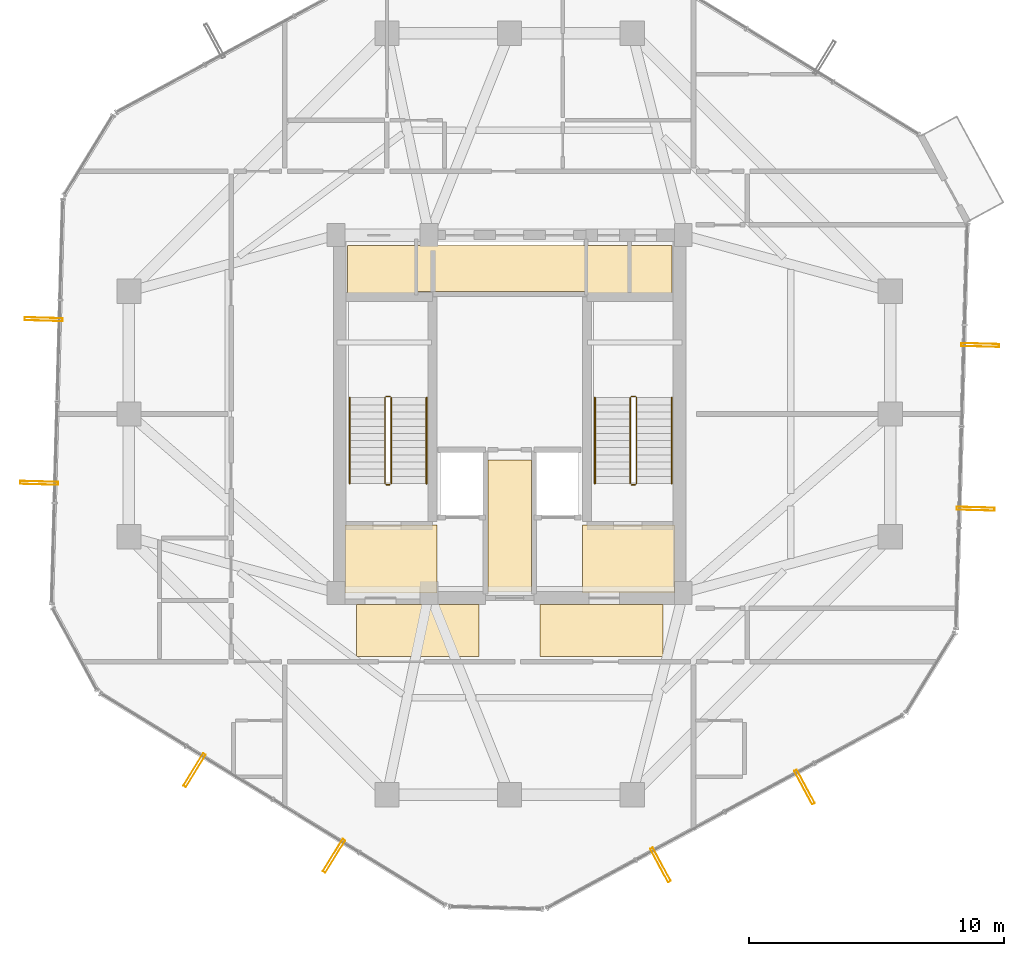
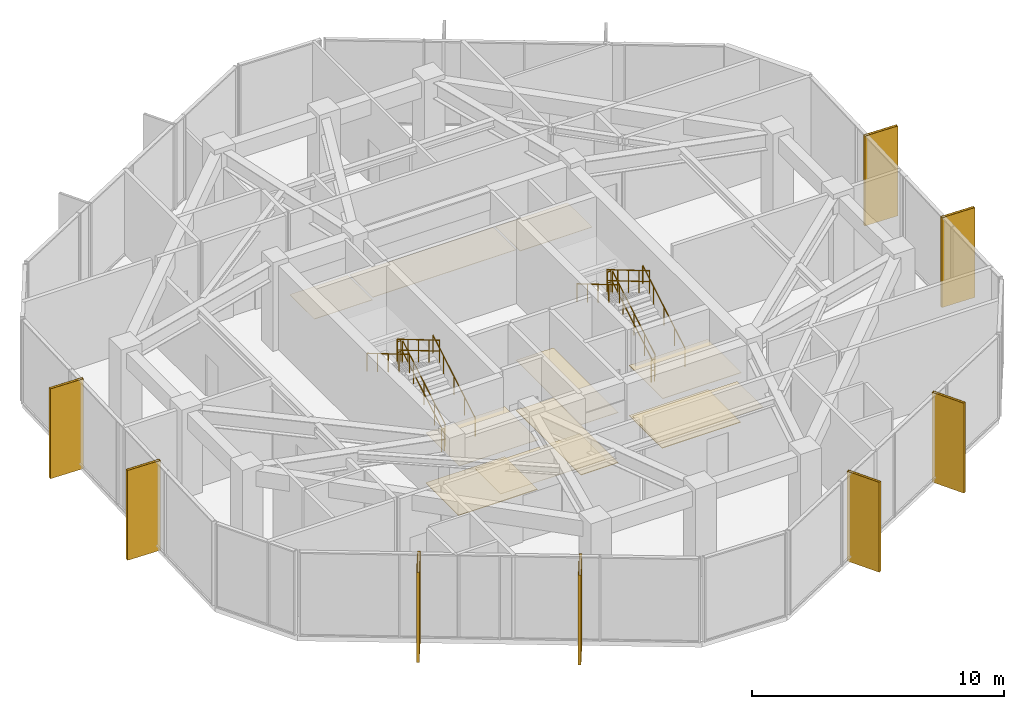
# One storey, part 21 of 22: 12 railings, 11 coverings, 8 shading devices.
"""IFC4 building model written with IfcOpenShell, lengths in metres."""

from ifc_helpers import new_model, si_unit, direction, frame, origin, origin_2d, place, context, subcontext, project, spatial, polyline, hollow_rectangle, circle, outline, extrude, material, layer, layer_set, material_profile, profile_set, type_object, element, save


model = new_model("IFC4")

# Units and contexts
model_context = context("Model", 3, precision=1e-05, world=origin(), true_north=direction((0.0, 1.0)))
body_context = subcontext(model_context, "Body", "Model", "MODEL_VIEW")
ifc_project = project(units=[si_unit("LENGTHUNIT", "METRE"), si_unit("AREAUNIT", "SQUARE_METRE"), si_unit("VOLUMEUNIT", "CUBIC_METRE"), si_unit("PLANEANGLEUNIT", "RADIAN"), si_unit("MASSUNIT", "GRAM", prefix="KILO")], contexts=[model_context])

# Site, building, storey
site_placement = place(None, origin())
site = spatial("IfcSite", under=ifc_project, at=site_placement, CompositionType="ELEMENT")
building_placement = place(site_placement, origin())
building = spatial("IfcBuilding", under=site, at=building_placement, Name="Veraguas Prism Commons", CompositionType="ELEMENT")
storey_placement = place(building_placement, frame((0.0, 0.0, 211.35009765625)))
storey = spatial("IfcBuildingStorey", under=building, at=storey_placement, Name="L60", CompositionType="ELEMENT", Elevation=211.35009765625)

# Shading devices
ifc_material_1 = material(Name="Anodised aluminium EN AW-6063 T6", Category="aluminium")
ifc_material_profile = material_profile(ifc_material_1, hollow_rectangle(XDim=0.1201171875, YDim=1.489990234375, WallThickness=0.006103515625, at=origin_2d()), Name="FIN120X1490X6")
ifc_profile_set = profile_set([ifc_material_profile], Name="Anodised aluminium EN AW-6063 T6")
shading_device_type = type_object("IfcShadingDeviceType", Name="Deep Pale-Metal Vertical Solar Fin 120x1490", PredefinedType="USERDEFINED", material=ifc_profile_set)
for number, where, z_axis, x_axis, name in (
    (1, (5.760009765625, 27.708740234375, -0.260009765625), (0.0, 0.0, 1.0), (-0.02757445194, -0.999619752506, 0.0), "Vertical Pale-Metal Solar Fin L60-F3A"),
    (2, (5.58349609375, 21.30224609375, -0.260009765625), (0.0, 0.0, 1.0), (-0.02757445194, -0.999619752506, 0.0), "Vertical Pale-Metal Solar Fin L60-F3B"),
    (3, (11.668212890625, 10.05810546875, -0.260009765625), (0.0, 0.0, 1.0), (0.851909787835, -0.523688565266, 0.0), "Vertical Pale-Metal Solar Fin L60-F4A"),
    (4, (17.1279296875, 6.701904296875, -0.260009765625), (0.0, 0.0, 1.0), (0.851909787835, -0.523688565266, 0.0), "Vertical Pale-Metal Solar Fin L60-F4B"),
    (5, (29.907958984375, 6.349365234375, -0.260009765625), (0.0, 0.0, 1.0), (0.87948249511, 0.475931235364, 0.0), "Vertical Pale-Metal Solar Fin L60-F5A"),
    (6, (35.544677734375, 9.399658203125, -0.260009765625), (0.0, 0.0, 1.0), (0.87948249511, 0.475931235364, 0.0), "Vertical Pale-Metal Solar Fin L60-F5B"),
    (7, (42.239990234375, 20.291259765625, -0.260009765625), (0.0, 0.0, 1.0), (0.02757445194, 0.999619752506, 0.0), "Vertical Pale-Metal Solar Fin L60-F6A"),
    (8, (42.41650390625, 26.69775390625, -0.260009765625), (0.0, 0.0, 1.0), (0.02757445194, 0.999619752506, 0.0), "Vertical Pale-Metal Solar Fin L60-F6B"),
):
    element("IfcShadingDevice", number, at=place(storey_placement, frame(where, z_axis=z_axis, x_axis=x_axis)), inside=storey, type_object=shading_device_type, Name=name, ObjectType="FIN", PredefinedType="USERDEFINED", context=body_context, shape_type="SweptSolid", body=[
        extrude(hollow_rectangle(XDim=0.1201171875, YDim=1.489990234375, WallThickness=0.006103515625, at=origin_2d()), origin(), (0.0, 0.0, 1.0), 4.344970703125),
    ])

# Coverings
ifc_material_2 = material(Name="Acoustic gypsum board")
ifc_layer_1 = layer(ifc_material_2, 0.02490234375, Name="Perforated Acoustic Ceiling Tile 25")
ifc_layer_set_1 = layer_set([ifc_layer_1], Name="Acoustic gypsum board")
covering_type_1 = type_object("IfcCoveringType", Name="Perforated Acoustic Ceiling Tile 25", PredefinedType="USERDEFINED", material=ifc_layer_set_1)
covering_1_placement = place(storey_placement, frame((0.0, 0.0, 2.4248046875)))
element("IfcCovering", 9, at=covering_1_placement, inside=storey, type_object=covering_type_1, Name="East Lobby Acoustic Ceiling L60", ObjectType="ACOUSTIC CEILING", PredefinedType="USERDEFINED", context=body_context, shape_type="SweptSolid", body=[
    extrude(outline(polyline([(26.85009765625, 17.0), (30.449951171875, 17.0), (30.449951171875, 19.64990234375), (26.85009765625, 19.64990234375), (26.85009765625, 17.0)])), origin(), (0.0, 0.0, 1.0), 0.025146484375),
])
ifc_material_3 = material(Name="Terrazzo stone finish", Category="masonry")
ifc_layer_2 = layer(ifc_material_3, 0.030029296875, Name="Polished Terrazzo Floor Finish 30", Category="masonry")
ifc_layer_set_2 = layer_set([ifc_layer_2], Name="Terrazzo stone finish")
covering_type_2 = type_object("IfcCoveringType", Name="Polished Terrazzo Floor Finish 30", PredefinedType="FLOORING", material=ifc_layer_set_2)
covering_2_placement = place(storey_placement, origin())
element("IfcCovering", 10, at=covering_2_placement, inside=storey, type_object=covering_type_2, Name="Terrazzo Lobby Flooring L60", PredefinedType="FLOORING", context=body_context, shape_type="SweptSolid", body=[
    extrude(outline(polyline([(23.14990234375, 17.050048828125), (24.85009765625, 17.050048828125), (24.85009765625, 22.199951171875), (23.14990234375, 22.199951171875), (23.14990234375, 17.050048828125)])), origin(), (0.0, 0.0, 1.0), 0.02978515625),
])
covering_3_placement = place(storey_placement, origin())
element("IfcCovering", 11, at=covering_3_placement, inside=storey, type_object=covering_type_2, Name="West FF Lobby Terrazzo Flooring L60", PredefinedType="FLOORING", context=body_context, shape_type="SweptSolid", body=[
    extrude(outline(polyline([(17.550048828125, 17.050048828125), (21.14990234375, 17.050048828125), (21.14990234375, 19.64990234375), (17.550048828125, 19.64990234375), (17.550048828125, 17.050048828125)])), origin(), (0.0, 0.0, 1.0), 0.02978515625),
])
covering_4_placement = place(storey_placement, origin())
element("IfcCovering", 12, at=covering_4_placement, inside=storey, type_object=covering_type_2, Name="East FF Lobby Terrazzo Flooring L60", PredefinedType="FLOORING", context=body_context, shape_type="SweptSolid", body=[
    extrude(outline(polyline([(26.85009765625, 17.050048828125), (30.449951171875, 17.050048828125), (30.449951171875, 19.64990234375), (26.85009765625, 19.64990234375), (26.85009765625, 17.050048828125)])), origin(), (0.0, 0.0, 1.0), 0.02978515625),
])

# Railings
ifc_material_4 = material(Name="Stainless steel AISI 316", Category="steel")
railing_type_1 = type_object("IfcRailingType", Name="Stair and Ramp Stainless Handrail 900", PredefinedType="HANDRAIL", material=ifc_material_4)
railing_1_placement = place(storey_placement, frame((20.75, 21.280029296875, 0.165283203125)))
element("IfcRailing", 13, at=railing_1_placement, inside=storey, type_object=railing_type_1, Name="Stair Handrail ST-01 L60-1", PredefinedType="HANDRAIL", context=body_context, shape_type="SweptSolid", body=[
    extrude(circle(Radius=0.02392578125, at=origin_2d()), frame((0.0, 0.0, 0.8759765625), z_axis=(0.0, 0.861011212953, 0.508585972249), x_axis=(-1.0, 0.0, 0.0)), (0.0, 0.0, 1.0), 3.90234375),
    extrude(circle(Radius=0.02099609375, at=origin_2d()), origin(), (0.0, 0.0, 1.0), 0.851806640625),
    extrude(circle(Radius=0.02099609375, at=origin_2d()), frame((0.0, 0.83984375, 0.49609375)), (0.0, 0.0, 1.0), 0.851806640625),
    extrude(circle(Radius=0.02099609375, at=origin_2d()), frame((0.0, 1.679931640625, 0.9921875)), (0.0, 0.0, 1.0), 0.851806640625),
    extrude(circle(Radius=0.02099609375, at=origin_2d()), frame((0.0, 2.52001953125, 1.488525390625)), (0.0, 0.0, 1.0), 0.851806640625),
    extrude(circle(Radius=0.02099609375, at=origin_2d()), frame((0.0, 3.35986328125, 1.984619140625)), (0.0, 0.0, 1.0), 0.851806640625),
])
railing_2_placement = place(storey_placement, frame((17.739990234375, 24.639892578125, 2.315185546875)))
element("IfcRailing", 14, at=railing_2_placement, inside=storey, type_object=railing_type_1, Name="Stair Handrail ST-01 L60-2", PredefinedType="HANDRAIL", context=body_context, shape_type="SweptSolid", body=[
    extrude(circle(Radius=0.02392578125, at=origin_2d()), frame((0.0, 0.0, 0.8759765625), z_axis=(0.0, -0.861011212953, 0.508585972249), x_axis=(1.0, 0.0, 0.0)), (0.0, 0.0, 1.0), 3.90234375),
    extrude(circle(Radius=0.02099609375, at=origin_2d()), origin(), (0.0, 0.0, 1.0), 0.851806640625),
    extrude(circle(Radius=0.02099609375, at=origin_2d()), frame((0.0, -0.83984375, 0.49609375)), (0.0, 0.0, 1.0), 0.851806640625),
    extrude(circle(Radius=0.02099609375, at=origin_2d()), frame((0.0, -1.679931640625, 0.9921875)), (0.0, 0.0, 1.0), 0.851806640625),
    extrude(circle(Radius=0.02099609375, at=origin_2d()), frame((0.0, -2.52001953125, 1.488525390625)), (0.0, 0.0, 1.0), 0.851806640625),
    extrude(circle(Radius=0.02099609375, at=origin_2d()), frame((0.0, -3.35986328125, 1.984619140625)), (0.0, 0.0, 1.0), 0.851806640625),
])
railing_3_placement = place(storey_placement, frame((30.35009765625, 21.280029296875, 0.165283203125)))
element("IfcRailing", 15, at=railing_3_placement, inside=storey, type_object=railing_type_1, Name="Stair Handrail ST-02 L60-1", PredefinedType="HANDRAIL", context=body_context, shape_type="SweptSolid", body=[
    extrude(circle(Radius=0.02392578125, at=origin_2d()), frame((0.0, 0.0, 0.8759765625), z_axis=(0.0, 0.861011212953, 0.508585972249), x_axis=(-1.0, 0.0, 0.0)), (0.0, 0.0, 1.0), 3.90234375),
    extrude(circle(Radius=0.02099609375, at=origin_2d()), origin(), (0.0, 0.0, 1.0), 0.851806640625),
    extrude(circle(Radius=0.02099609375, at=origin_2d()), frame((0.0, 0.83984375, 0.49609375)), (0.0, 0.0, 1.0), 0.851806640625),
    extrude(circle(Radius=0.02099609375, at=origin_2d()), frame((0.0, 1.679931640625, 0.9921875)), (0.0, 0.0, 1.0), 0.851806640625),
    extrude(circle(Radius=0.02099609375, at=origin_2d()), frame((0.0, 2.52001953125, 1.488525390625)), (0.0, 0.0, 1.0), 0.851806640625),
    extrude(circle(Radius=0.02099609375, at=origin_2d()), frame((0.0, 3.35986328125, 1.984619140625)), (0.0, 0.0, 1.0), 0.851806640625),
])
railing_4_placement = place(storey_placement, frame((27.340087890625, 24.639892578125, 2.315185546875)))
element("IfcRailing", 16, at=railing_4_placement, inside=storey, type_object=railing_type_1, Name="Stair Handrail ST-02 L60-2", PredefinedType="HANDRAIL", context=body_context, shape_type="SweptSolid", body=[
    extrude(circle(Radius=0.02392578125, at=origin_2d()), frame((0.0, 0.0, 0.8759765625), z_axis=(0.0, -0.861011212953, 0.508585972249), x_axis=(1.0, 0.0, 0.0)), (0.0, 0.0, 1.0), 3.90234375),
    extrude(circle(Radius=0.02099609375, at=origin_2d()), origin(), (0.0, 0.0, 1.0), 0.851806640625),
    extrude(circle(Radius=0.02099609375, at=origin_2d()), frame((0.0, -0.83984375, 0.49609375)), (0.0, 0.0, 1.0), 0.851806640625),
    extrude(circle(Radius=0.02099609375, at=origin_2d()), frame((0.0, -1.679931640625, 0.9921875)), (0.0, 0.0, 1.0), 0.851806640625),
    extrude(circle(Radius=0.02099609375, at=origin_2d()), frame((0.0, -2.52001953125, 1.488525390625)), (0.0, 0.0, 1.0), 0.851806640625),
    extrude(circle(Radius=0.02099609375, at=origin_2d()), frame((0.0, -3.35986328125, 1.984619140625)), (0.0, 0.0, 1.0), 0.851806640625),
])
railing_type_2 = type_object("IfcRailingType", Name="Stairwell Safety Guardrail 1100", PredefinedType="GUARDRAIL", material=ifc_material_4)
railing_5_placement = place(storey_placement, frame((19.3701171875, 21.280029296875, 0.165283203125)))
element("IfcRailing", 17, at=railing_5_placement, inside=storey, type_object=railing_type_2, Name="Stair Guard ST-01 L60-1", PredefinedType="GUARDRAIL", context=body_context, shape_type="SweptSolid", body=[
    extrude(circle(Radius=0.02392578125, at=origin_2d()), frame((0.0, 0.0, 1.076171875), z_axis=(0.0, 0.861011212953, 0.508585972249), x_axis=(-1.0, 0.0, 0.0)), (0.0, 0.0, 1.0), 3.90234375),
    extrude(circle(Radius=0.02392578125, at=origin_2d()), frame((0.0, 0.0, 0.550048828125), z_axis=(0.0, 0.861011212953, 0.508585972249), x_axis=(-1.0, 0.0, 0.0)), (0.0, 0.0, 1.0), 3.90234375),
    extrude(circle(Radius=0.02099609375, at=origin_2d()), origin(), (0.0, 0.0, 1.0), 1.052001953125),
    extrude(circle(Radius=0.02099609375, at=origin_2d()), frame((0.0, 0.83984375, 0.49609375)), (0.0, 0.0, 1.0), 1.052001953125),
    extrude(circle(Radius=0.02099609375, at=origin_2d()), frame((0.0, 1.679931640625, 0.9921875)), (0.0, 0.0, 1.0), 1.052001953125),
    extrude(circle(Radius=0.02099609375, at=origin_2d()), frame((0.0, 2.52001953125, 1.488525390625)), (0.0, 0.0, 1.0), 1.052001953125),
    extrude(circle(Radius=0.02099609375, at=origin_2d()), frame((0.0, 3.35986328125, 1.984619140625)), (0.0, 0.0, 1.0), 1.052001953125),
])
railing_6_placement = place(storey_placement, frame((19.320068359375, 24.68994140625, 2.14990234375)))
element("IfcRailing", 18, at=railing_6_placement, inside=storey, type_object=railing_type_2, Name="Stair Guard ST-01 L60-2", PredefinedType="GUARDRAIL", context=body_context, shape_type="SweptSolid", body=[
    extrude(circle(Radius=0.02392578125, at=origin_2d()), frame((0.0, 0.0, 1.076171875), z_axis=(-1.0, 0.0, 0.0), x_axis=(0.0, -1.0, 0.0)), (0.0, 0.0, 1.0), 0.150146484375),
    extrude(circle(Radius=0.02392578125, at=origin_2d()), frame((0.0, 0.0, 0.550048828125), z_axis=(-1.0, 0.0, 0.0), x_axis=(0.0, -1.0, 0.0)), (0.0, 0.0, 1.0), 0.150146484375),
    extrude(circle(Radius=0.02099609375, at=origin_2d()), origin(), (0.0, 0.0, 1.0), 1.052001953125),
    extrude(circle(Radius=0.02099609375, at=origin_2d()), frame((-0.150146484375, 0.0, 0.0)), (0.0, 0.0, 1.0), 1.052001953125),
])
railing_7_placement = place(storey_placement, frame((19.1201171875, 24.639892578125, 2.315185546875)))
element("IfcRailing", 19, at=railing_7_placement, inside=storey, type_object=railing_type_2, Name="Stair Guard ST-01 L60-3", PredefinedType="GUARDRAIL", context=body_context, shape_type="SweptSolid", body=[
    extrude(circle(Radius=0.02392578125, at=origin_2d()), frame((0.0, 0.0, 1.076171875), z_axis=(0.0, -0.861011212953, 0.508585972249), x_axis=(1.0, 0.0, 0.0)), (0.0, 0.0, 1.0), 3.90234375),
    extrude(circle(Radius=0.02392578125, at=origin_2d()), frame((0.0, 0.0, 0.550048828125), z_axis=(0.0, -0.861011212953, 0.508585972249), x_axis=(1.0, 0.0, 0.0)), (0.0, 0.0, 1.0), 3.90234375),
    extrude(circle(Radius=0.02099609375, at=origin_2d()), origin(), (0.0, 0.0, 1.0), 1.052001953125),
    extrude(circle(Radius=0.02099609375, at=origin_2d()), frame((0.0, -0.83984375, 0.49609375)), (0.0, 0.0, 1.0), 1.052001953125),
    extrude(circle(Radius=0.02099609375, at=origin_2d()), frame((0.0, -1.679931640625, 0.9921875)), (0.0, 0.0, 1.0), 1.052001953125),
    extrude(circle(Radius=0.02099609375, at=origin_2d()), frame((0.0, -2.52001953125, 1.488525390625)), (0.0, 0.0, 1.0), 1.052001953125),
    extrude(circle(Radius=0.02099609375, at=origin_2d()), frame((0.0, -3.35986328125, 1.984619140625)), (0.0, 0.0, 1.0), 1.052001953125),
])
railing_8_placement = place(storey_placement, frame((19.320068359375, 21.22998046875, 0.0)))
element("IfcRailing", 20, at=railing_8_placement, inside=storey, type_object=railing_type_2, Name="Stair Guard ST-01 L60-4", PredefinedType="GUARDRAIL", context=body_context, shape_type="SweptSolid", body=[
    extrude(circle(Radius=0.02392578125, at=origin_2d()), frame((0.0, 0.0, 1.076171875), z_axis=(-1.0, 0.0, 0.0), x_axis=(0.0, -1.0, 0.0)), (0.0, 0.0, 1.0), 0.150146484375),
    extrude(circle(Radius=0.02392578125, at=origin_2d()), frame((0.0, 0.0, 0.550048828125), z_axis=(-1.0, 0.0, 0.0), x_axis=(0.0, -1.0, 0.0)), (0.0, 0.0, 1.0), 0.150146484375),
    extrude(circle(Radius=0.02099609375, at=origin_2d()), origin(), (0.0, 0.0, 1.0), 1.052001953125),
    extrude(circle(Radius=0.02099609375, at=origin_2d()), frame((-0.150146484375, 0.0, 0.0)), (0.0, 0.0, 1.0), 1.052001953125),
])
railing_9_placement = place(storey_placement, frame((28.969970703125, 21.280029296875, 0.165283203125)))
element("IfcRailing", 21, at=railing_9_placement, inside=storey, type_object=railing_type_2, Name="Stair Guard ST-02 L60-1", PredefinedType="GUARDRAIL", context=body_context, shape_type="SweptSolid", body=[
    extrude(circle(Radius=0.02392578125, at=origin_2d()), frame((0.0, 0.0, 1.076171875), z_axis=(0.0, 0.861011212953, 0.508585972249), x_axis=(-1.0, 0.0, 0.0)), (0.0, 0.0, 1.0), 3.90234375),
    extrude(circle(Radius=0.02392578125, at=origin_2d()), frame((0.0, 0.0, 0.550048828125), z_axis=(0.0, 0.861011212953, 0.508585972249), x_axis=(-1.0, 0.0, 0.0)), (0.0, 0.0, 1.0), 3.90234375),
    extrude(circle(Radius=0.02099609375, at=origin_2d()), origin(), (0.0, 0.0, 1.0), 1.052001953125),
    extrude(circle(Radius=0.02099609375, at=origin_2d()), frame((0.0, 0.83984375, 0.49609375)), (0.0, 0.0, 1.0), 1.052001953125),
    extrude(circle(Radius=0.02099609375, at=origin_2d()), frame((0.0, 1.679931640625, 0.9921875)), (0.0, 0.0, 1.0), 1.052001953125),
    extrude(circle(Radius=0.02099609375, at=origin_2d()), frame((0.0, 2.52001953125, 1.488525390625)), (0.0, 0.0, 1.0), 1.052001953125),
    extrude(circle(Radius=0.02099609375, at=origin_2d()), frame((0.0, 3.35986328125, 1.984619140625)), (0.0, 0.0, 1.0), 1.052001953125),
])
railing_10_placement = place(storey_placement, frame((28.919921875, 24.68994140625, 2.14990234375)))
element("IfcRailing", 22, at=railing_10_placement, inside=storey, type_object=railing_type_2, Name="Stair Guard ST-02 L60-2", PredefinedType="GUARDRAIL", context=body_context, shape_type="SweptSolid", body=[
    extrude(circle(Radius=0.02392578125, at=origin_2d()), frame((0.0, 0.0, 1.076171875), z_axis=(-1.0, 0.0, 0.0), x_axis=(0.0, -1.0, 0.0)), (0.0, 0.0, 1.0), 0.14990234375),
    extrude(circle(Radius=0.02392578125, at=origin_2d()), frame((0.0, 0.0, 0.550048828125), z_axis=(-1.0, 0.0, 0.0), x_axis=(0.0, -1.0, 0.0)), (0.0, 0.0, 1.0), 0.14990234375),
    extrude(circle(Radius=0.02099609375, at=origin_2d()), origin(), (0.0, 0.0, 1.0), 1.052001953125),
    extrude(circle(Radius=0.02099609375, at=origin_2d()), frame((-0.14990234375, 0.0, 0.0)), (0.0, 0.0, 1.0), 1.052001953125),
])
railing_11_placement = place(storey_placement, frame((28.719970703125, 24.639892578125, 2.315185546875)))
element("IfcRailing", 23, at=railing_11_placement, inside=storey, type_object=railing_type_2, Name="Stair Guard ST-02 L60-3", PredefinedType="GUARDRAIL", context=body_context, shape_type="SweptSolid", body=[
    extrude(circle(Radius=0.02392578125, at=origin_2d()), frame((0.0, 0.0, 1.076171875), z_axis=(0.0, -0.861011212953, 0.508585972249), x_axis=(1.0, 0.0, 0.0)), (0.0, 0.0, 1.0), 3.90234375),
    extrude(circle(Radius=0.02392578125, at=origin_2d()), frame((0.0, 0.0, 0.550048828125), z_axis=(0.0, -0.861011212953, 0.508585972249), x_axis=(1.0, 0.0, 0.0)), (0.0, 0.0, 1.0), 3.90234375),
    extrude(circle(Radius=0.02099609375, at=origin_2d()), origin(), (0.0, 0.0, 1.0), 1.052001953125),
    extrude(circle(Radius=0.02099609375, at=origin_2d()), frame((0.0, -0.83984375, 0.49609375)), (0.0, 0.0, 1.0), 1.052001953125),
    extrude(circle(Radius=0.02099609375, at=origin_2d()), frame((0.0, -1.679931640625, 0.9921875)), (0.0, 0.0, 1.0), 1.052001953125),
    extrude(circle(Radius=0.02099609375, at=origin_2d()), frame((0.0, -2.52001953125, 1.488525390625)), (0.0, 0.0, 1.0), 1.052001953125),
    extrude(circle(Radius=0.02099609375, at=origin_2d()), frame((0.0, -3.35986328125, 1.984619140625)), (0.0, 0.0, 1.0), 1.052001953125),
])
railing_12_placement = place(storey_placement, frame((28.919921875, 21.22998046875, 0.0)))
element("IfcRailing", 24, at=railing_12_placement, inside=storey, type_object=railing_type_2, Name="Stair Guard ST-02 L60-4", PredefinedType="GUARDRAIL", context=body_context, shape_type="SweptSolid", body=[
    extrude(circle(Radius=0.02392578125, at=origin_2d()), frame((0.0, 0.0, 1.076171875), z_axis=(-1.0, 0.0, 0.0), x_axis=(0.0, -1.0, 0.0)), (0.0, 0.0, 1.0), 0.14990234375),
    extrude(circle(Radius=0.02392578125, at=origin_2d()), frame((0.0, 0.0, 0.550048828125), z_axis=(-1.0, 0.0, 0.0), x_axis=(0.0, -1.0, 0.0)), (0.0, 0.0, 1.0), 0.14990234375),
    extrude(circle(Radius=0.02099609375, at=origin_2d()), origin(), (0.0, 0.0, 1.0), 1.052001953125),
    extrude(circle(Radius=0.02099609375, at=origin_2d()), frame((-0.14990234375, 0.0, 0.0)), (0.0, 0.0, 1.0), 1.052001953125),
])

# Coverings
ifc_layer_3 = layer(ifc_material_2, 0.02001953125, Name="Suspended Gypsum Ceiling 20")
ifc_layer_set_3 = layer_set([ifc_layer_3], Name="Acoustic gypsum board")
covering_type_3 = type_object("IfcCoveringType", Name="Suspended Gypsum Ceiling 20", PredefinedType="CEILING", material=ifc_layer_set_3)
covering_5_placement = place(storey_placement, frame((0.0, 0.0, 2.429931640625)))
element("IfcCovering", 25, at=covering_5_placement, inside=storey, type_object=covering_type_3, Name="West Lobby Suspended Gypsum Ceiling L60", PredefinedType="CEILING", context=body_context, shape_type="SweptSolid", body=[
    extrude(outline(polyline([(17.550048828125, 17.0), (21.14990234375, 17.0), (21.14990234375, 19.64990234375), (17.550048828125, 19.64990234375), (17.550048828125, 17.0)])), origin(), (0.0, 0.0, 1.0), 0.02001953125),
])
covering_6_placement = place(storey_placement, frame((0.0, 0.0, 2.429931640625)))
element("IfcCovering", 26, at=covering_6_placement, inside=storey, type_object=covering_type_3, Name="Core Lobby Acoustic Ceiling L60-1", PredefinedType="CEILING", context=body_context, shape_type="SweptSolid", body=[
    extrude(outline(polyline([(18.0, 14.5), (22.800048828125, 14.5), (22.800048828125, 16.550048828125), (18.0, 16.550048828125), (18.0, 14.5)])), origin(), (0.0, 0.0, 1.0), 0.02001953125),
])
covering_7_placement = place(storey_placement, frame((0.0, 0.0, 2.429931640625)))
element("IfcCovering", 27, at=covering_7_placement, inside=storey, type_object=covering_type_3, Name="Core Lobby Acoustic Ceiling L60-2", PredefinedType="CEILING", context=body_context, shape_type="SweptSolid", body=[
    extrude(outline(polyline([(25.199951171875, 14.5), (30.0, 14.5), (30.0, 16.550048828125), (25.199951171875, 16.550048828125), (25.199951171875, 14.5)])), origin(), (0.0, 0.0, 1.0), 0.02001953125),
])
covering_8_placement = place(storey_placement, frame((0.0, 0.0, 2.429931640625)))
element("IfcCovering", 28, at=covering_8_placement, inside=storey, type_object=covering_type_3, Name="Core Lobby Acoustic Ceiling L60-3", PredefinedType="CEILING", context=body_context, shape_type="SweptSolid", body=[
    extrude(outline(polyline([(23.14990234375, 17.050048828125), (24.85009765625, 17.050048828125), (24.85009765625, 22.199951171875), (23.14990234375, 22.199951171875), (23.14990234375, 17.050048828125)])), origin(), (0.0, 0.0, 1.0), 0.02001953125),
])
covering_9_placement = place(storey_placement, frame((0.0, 0.0, 2.429931640625)))
element("IfcCovering", 29, at=covering_9_placement, inside=storey, type_object=covering_type_3, Name="Core Lobby Acoustic Ceiling L60-4", PredefinedType="CEILING", context=body_context, shape_type="SweptSolid", body=[
    extrude(outline(polyline([(17.64990234375, 28.64990234375), (20.300048828125, 28.64990234375), (20.300048828125, 30.60009765625), (17.64990234375, 30.60009765625), (17.64990234375, 28.64990234375)])), origin(), (0.0, 0.0, 1.0), 0.02001953125),
])
covering_10_placement = place(storey_placement, frame((0.0, 0.0, 2.429931640625)))
element("IfcCovering", 30, at=covering_10_placement, inside=storey, type_object=covering_type_3, Name="Core Lobby Acoustic Ceiling L60-5", PredefinedType="CEILING", context=body_context, shape_type="SweptSolid", body=[
    extrude(outline(polyline([(27.050048828125, 28.64990234375), (30.35009765625, 28.64990234375), (30.35009765625, 30.60009765625), (27.050048828125, 30.60009765625), (27.050048828125, 28.64990234375)])), origin(), (0.0, 0.0, 1.0), 0.02001953125),
])
covering_11_placement = place(storey_placement, frame((0.0, 0.0, 2.429931640625)))
element("IfcCovering", 31, at=covering_11_placement, inside=storey, type_object=covering_type_3, Name="Core Lobby Acoustic Ceiling L60-6", PredefinedType="CEILING", context=body_context, shape_type="SweptSolid", body=[
    extrude(outline(polyline([(20.39990234375, 28.800048828125), (26.949951171875, 28.800048828125), (26.949951171875, 30.60009765625), (20.39990234375, 30.60009765625), (20.39990234375, 28.800048828125)])), origin(), (0.0, 0.0, 1.0), 0.02001953125),
])

save(model, "model.ifc")
